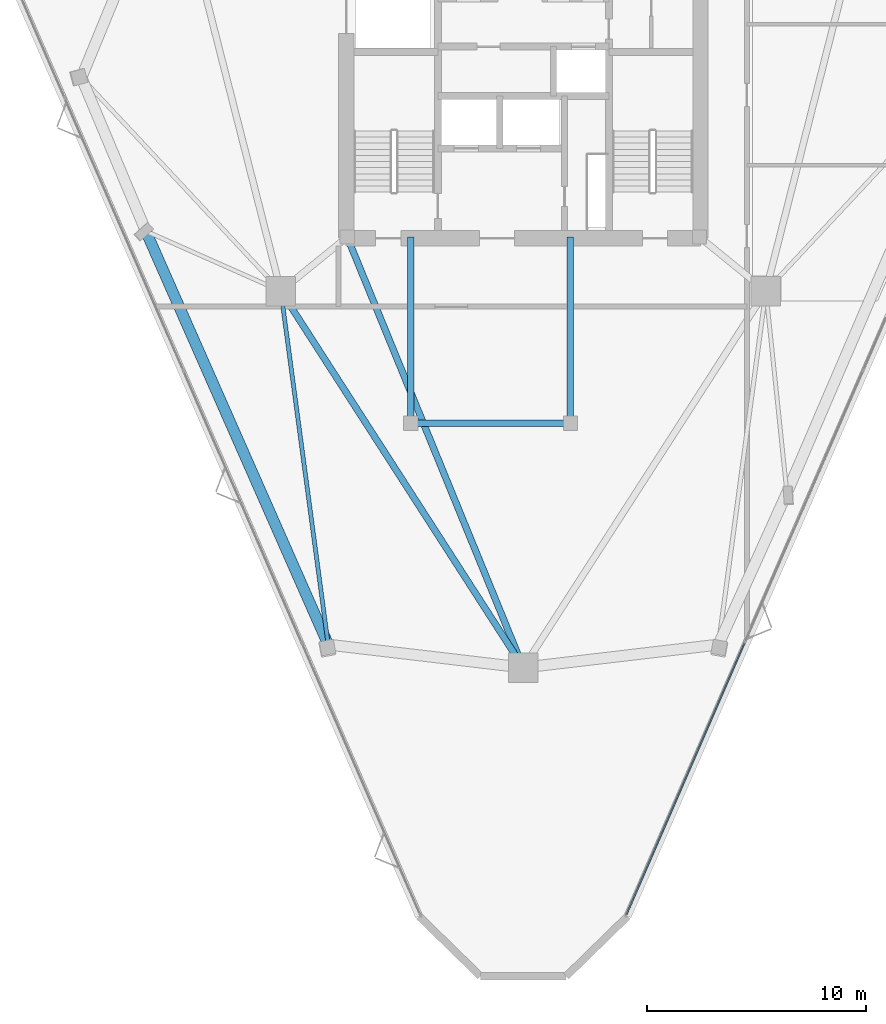
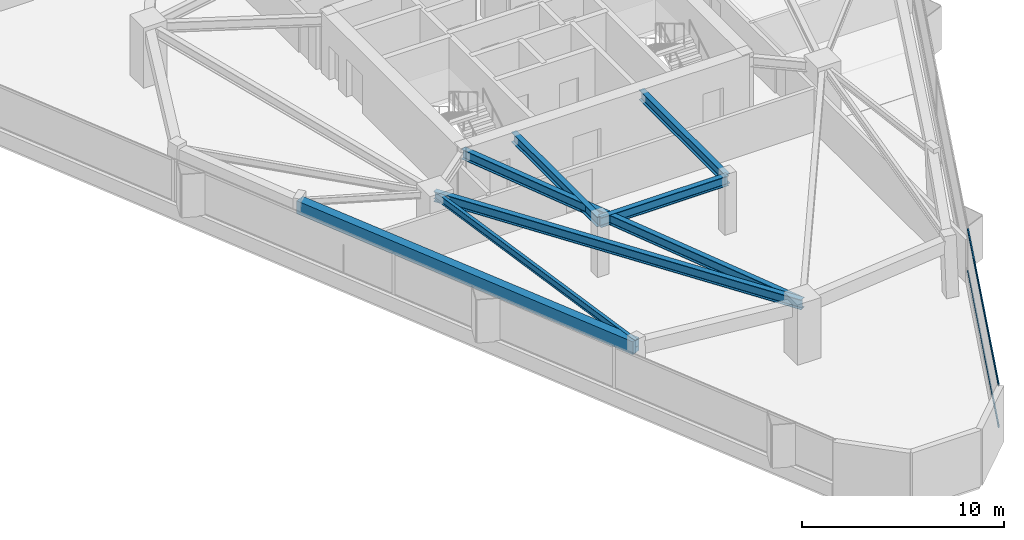
# One storey, part 3 of 12: 7 beams, 2 members, 1 element without a shape of its own.
"""IFC4 building model written with IfcOpenShell, lengths in metres."""

from ifc_helpers import new_model, si_unit, direction, frame, origin, origin_2d, place, context, subcontext, project, spatial, rectangle, i_section, extrude, material, layer, layer_set, material_profile, profile_set, type_object, element, aggregate, save


model = new_model("IFC4")

# Units and contexts
model_context = context("Model", 3, precision=1e-05, world=origin(), true_north=direction((0.0, 1.0)))
body_context = subcontext(model_context, "Body", "Model", "MODEL_VIEW")
ifc_project = project(units=[si_unit("LENGTHUNIT", "METRE"), si_unit("AREAUNIT", "SQUARE_METRE"), si_unit("VOLUMEUNIT", "CUBIC_METRE"), si_unit("PLANEANGLEUNIT", "RADIAN"), si_unit("MASSUNIT", "GRAM", prefix="KILO")], contexts=[model_context])

# Site, building, storey
site_placement = place(None, origin())
site = spatial("IfcSite", under=ifc_project, at=site_placement, CompositionType="ELEMENT")
building_placement = place(site_placement, origin())
building = spatial("IfcBuilding", under=site, at=building_placement, Name="Talyreon Biosciences Tower", CompositionType="ELEMENT")
storey_placement = place(building_placement, frame((0.0, 0.0, 179.39990234375)))
storey = spatial("IfcBuildingStorey", under=building, at=storey_placement, Name="L47", CompositionType="ELEMENT", Elevation=179.39990234375)

# Curtain wall, members
ifc_material_1 = material(Name="Thermally broken aluminium and low-E glazing", Category="aluminium")
ifc_layer = layer(ifc_material_1, 0.179931640625)
ifc_layer_set = layer_set([ifc_layer], Name="Thermally broken aluminium and low-E glazing")
curtain_wall_type = type_object("IfcCurtainWallType", Name="CurtainWall_Zone4Optical", PredefinedType="NOTDEFINED", material=ifc_layer_set)
curtain_wall_placement = place(storey_placement, origin())
curtain_wall = element("IfcCurtainWall", 1, at=curtain_wall_placement, inside=storey, type_object=curtain_wall_type, Name="L47 Unitised Curtain Wall FCW-L47-08", PredefinedType="NOTDEFINED")
ifc_material_2 = material(Name="Anodised thermally broken aluminium", Category="aluminium")
ifc_material_profile_1 = material_profile(ifc_material_2, rectangle(XDim=0.06494140625, YDim=0.139892578125, at=origin_2d()), Name="ALUM TRANSOM 65x140")
ifc_profile_set_1 = profile_set([ifc_material_profile_1], Name="Anodised thermally broken aluminium")
member_type = type_object("IfcMemberType", Name="CWTransom_65x140", PredefinedType="USERDEFINED", material=ifc_profile_set_1)
member_1_placement = place(storey_placement, frame((76.10546875, 42.76025390625, 0.842529296875), z_axis=(-0.399077385587, -0.916917248345, 0.0), x_axis=(0.916917248345, -0.399077385587, 0.0)))
member_1 = element("IfcMember", 2, at=member_1_placement, type_object=member_type, Name="CW5 transom 4.1", ObjectType="TRANSOM", PredefinedType="USERDEFINED", context=body_context, shape_type="SweptSolid", body=[
    extrude(rectangle(XDim=0.06494140625, YDim=0.139892578125, at=origin_2d()), origin(), (0.0, 0.0, 1.0), 13.49365234375),
])
member_2_placement = place(storey_placement, frame((76.10546875, 42.76025390625, 3.36767578125), z_axis=(-0.399077385587, -0.916917248345, 0.0), x_axis=(0.916917248345, -0.399077385587, 0.0)))
member_2 = element("IfcMember", 3, at=member_2_placement, type_object=member_type, Name="CW5 transom 4.2", ObjectType="TRANSOM", PredefinedType="USERDEFINED", context=body_context, shape_type="SweptSolid", body=[
    extrude(rectangle(XDim=0.06494140625, YDim=0.139892578125, at=origin_2d()), origin(), (0.0, 0.0, 1.0), 13.49365234375),
])
aggregate(curtain_wall, [member_1, member_2])

# Beams
ifc_material_3 = material(Name="Precast concrete C45/55", Category="concrete")
ifc_material_profile_2 = material_profile(ifc_material_3, rectangle(XDim=0.5, YDim=0.780029296875, at=origin_2d()), Name="RCB 500x780")
ifc_profile_set_2 = profile_set([ifc_material_profile_2], Name="Precast concrete C45/55")
beam_type_1 = type_object("IfcBeamType", Name="ExpressedSpandrel_500x780", PredefinedType="SPANDREL", material=ifc_profile_set_2)
beam_1_placement = place(storey_placement, frame((48.7431640625, 61.62060546875, 3.010009765625), z_axis=(0.40352935111, -0.914966700374, 0.0), x_axis=(0.914966700374, 0.40352935111, 0.0)))
element("IfcBeam", 4, at=beam_1_placement, inside=storey, type_object=beam_type_1, Name="L47 Expressed Horizontal Concrete Spandrel 11", PredefinedType="SPANDREL", context=body_context, shape_type="SweptSolid", body=[
    extrude(rectangle(XDim=0.5, YDim=0.780029296875, at=origin_2d()), origin(), (0.0, 0.0, 1.0), 20.65869140625),
])
ifc_material_4 = material(Name="Steel SM355", Category="steel")
ifc_material_profile_3 = material_profile(ifc_material_4, i_section(OverallWidth=0.300048828125, OverallDepth=0.60009765625, WebThickness=0.015380859375, FlangeThickness=0.030029296875, FilletRadius=0.027099609375, at=origin_2d()), Name="HE600B")
ifc_profile_set_3 = profile_set([ifc_material_profile_3], Name="Steel SM355")
beam_type_2 = type_object("IfcBeamType", Name="SteelBeam_HE600B", PredefinedType="BEAM", material=ifc_profile_set_3)
beam_2_placement = place(storey_placement, frame((54.913818359375, 58.88037109375, 3.10009765625), z_axis=(0.541463723609, -0.840724114092, 0.0), x_axis=(0.840724114092, 0.541463723609, 0.0)))
element("IfcBeam", 5, at=beam_2_placement, inside=storey, type_object=beam_type_2, Name="L47 Mega-Ring Girder 6", PredefinedType="BEAM", context=body_context, shape_type="SweptSolid", body=[
    extrude(i_section(OverallWidth=0.300048828125, OverallDepth=0.60009765625, WebThickness=0.015380859375, FlangeThickness=0.030029296875, FilletRadius=0.027099609375, at=origin_2d()), origin(), (0.0, 0.0, 1.0), 20.474365234375),
])
beam_3_placement = place(storey_placement, frame((57.949951171875, 61.35009765625, 3.10009765625), z_axis=(0.378547014545, -0.925582064314, 0.0), x_axis=(0.925582064314, 0.378547014545, 0.0)))
element("IfcBeam", 6, at=beam_3_placement, inside=storey, type_object=beam_type_2, Name="L47 Radial Primary Girder 1", PredefinedType="BEAM", context=body_context, shape_type="SweptSolid", body=[
    extrude(i_section(OverallWidth=0.300048828125, OverallDepth=0.60009765625, WebThickness=0.015380859375, FlangeThickness=0.030029296875, FilletRadius=0.027099609375, at=origin_2d()), origin(), (0.0, 0.0, 1.0), 21.265625),
])
beam_4_placement = place(storey_placement, frame((60.85009765625, 52.840087890625, 3.10009765625), z_axis=(1.0, 0.0, 0.0), x_axis=(0.0, 1.0, 0.0)))
element("IfcBeam", 7, at=beam_4_placement, inside=storey, type_object=beam_type_2, Name="L47 Crown Shaft Spine Girder S", PredefinedType="BEAM", context=body_context, shape_type="SweptSolid", body=[
    extrude(i_section(OverallWidth=0.300048828125, OverallDepth=0.60009765625, WebThickness=0.015380859375, FlangeThickness=0.030029296875, FilletRadius=0.027099609375, at=origin_2d()), origin(), (0.0, 0.0, 1.0), 7.2998046875),
])
for number, where, z_axis, x_axis, name in (
    (8, (60.85009765625, 52.840087890625, 3.10009765625), (0.0, 1.0, 0.0), (-1.0, 0.0, 0.0), "L47 Crown Shaft Tie Girder W"),
    (9, (68.14990234375, 52.840087890625, 3.10009765625), (0.0, 1.0, 0.0), (-1.0, 0.0, 0.0), "L47 Crown Shaft Tie Girder E"),
):
    element("IfcBeam", number, at=place(storey_placement, frame(where, z_axis=z_axis, x_axis=x_axis)), inside=storey, type_object=beam_type_2, Name=name, PredefinedType="BEAM", context=body_context, shape_type="SweptSolid", body=[
        extrude(i_section(OverallWidth=0.300048828125, OverallDepth=0.60009765625, WebThickness=0.015380859375, FlangeThickness=0.030029296875, FilletRadius=0.027099609375, at=origin_2d()), origin(), (0.0, 0.0, 1.0), 8.510009765625),
    ])
ifc_material_profile_4 = material_profile(ifc_material_4, i_section(OverallWidth=0.18994140625, OverallDepth=0.449951171875, WebThickness=0.009521484375, FlangeThickness=0.0146484375, FilletRadius=0.02099609375, at=origin_2d()), Name="IPE450")
ifc_profile_set_4 = profile_set([ifc_material_profile_4], Name="Steel SM355")
beam_type_3 = type_object("IfcBeamType", Name="SteelJoist_IPE450", PredefinedType="JOIST", material=ifc_profile_set_4)
beam_5_placement = place(storey_placement, frame((54.913818359375, 58.88037109375, 3.175048828125), z_axis=(0.132817823305, -0.991140467246, 0.0), x_axis=(0.991140467246, 0.132817823305, 0.0)))
element("IfcBeam", 10, at=beam_5_placement, inside=storey, type_object=beam_type_3, Name="L47 Radial Composite Floor Joist PC-SW2", PredefinedType="JOIST", context=body_context, shape_type="SweptSolid", body=[
    extrude(i_section(OverallWidth=0.18994140625, OverallDepth=0.449951171875, WebThickness=0.009521484375, FlangeThickness=0.0146484375, FilletRadius=0.02099609375, at=origin_2d()), origin(), (0.0, 0.0, 1.0), 16.306396484375),
])

save(model, "model.ifc")
